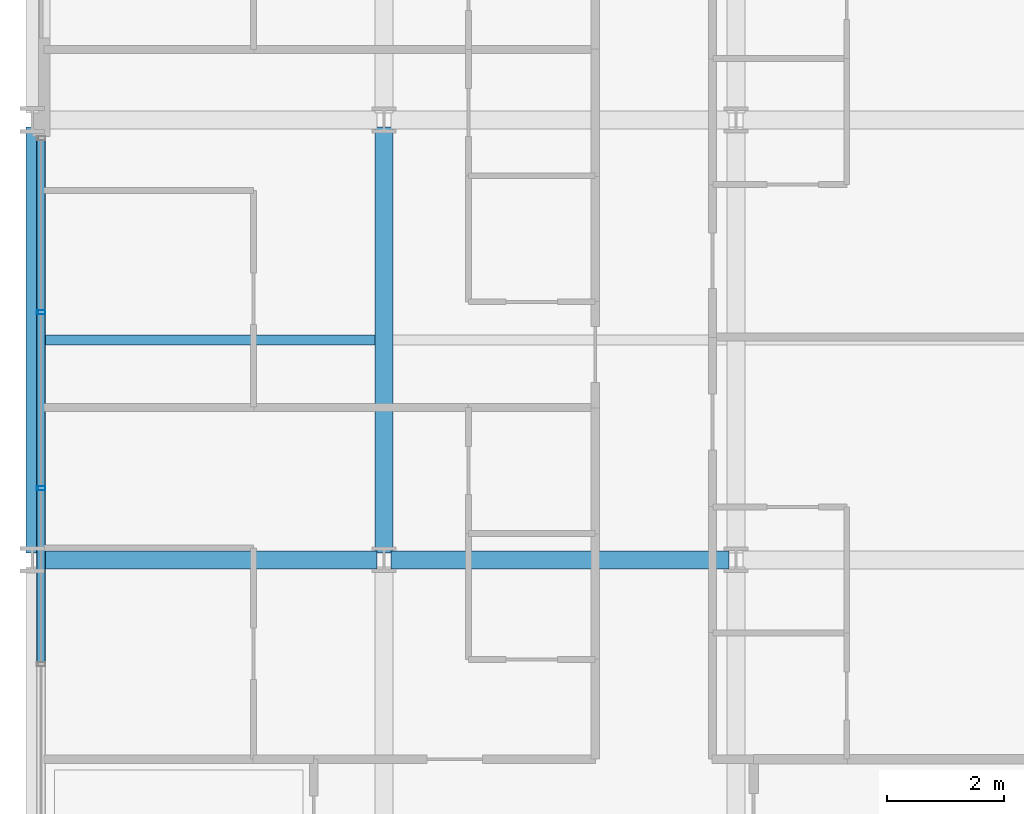
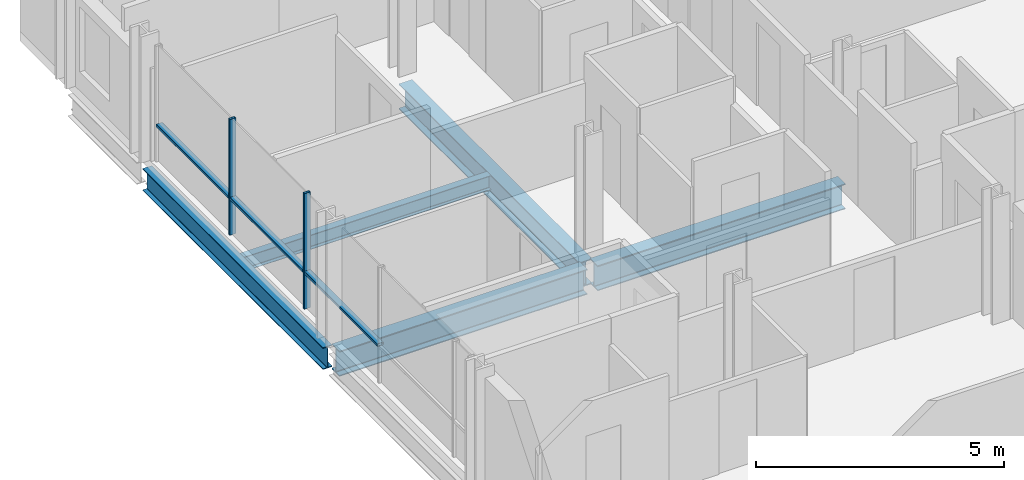
# One storey, part 5 of 41: 5 beams, 5 members, 1 element without a shape of its own.
"""IFC4 building model written with IfcOpenShell, lengths in metres."""

from ifc_helpers import new_model, si_unit, direction, frame, origin, origin_2d, place, context, subcontext, project, spatial, hollow_rectangle, i_section, extrude, material, layer, layer_set, material_profile, profile_set, type_object, element, aggregate, save


model = new_model("IFC4")

# Units and contexts
model_context = context("Model", 3, precision=1e-05, world=origin(), true_north=direction((0.0, 1.0)))
body_context = subcontext(model_context, "Body", "Model", "MODEL_VIEW")
ifc_project = project(units=[si_unit("LENGTHUNIT", "METRE"), si_unit("AREAUNIT", "SQUARE_METRE"), si_unit("VOLUMEUNIT", "CUBIC_METRE"), si_unit("PLANEANGLEUNIT", "RADIAN"), si_unit("MASSUNIT", "GRAM", prefix="KILO")], contexts=[model_context])

# Site, building, storey
site_placement = place(None, origin())
site = spatial("IfcSite", under=ifc_project, at=site_placement, CompositionType="ELEMENT")
building_placement = place(site_placement, origin())
building = spatial("IfcBuilding", under=site, at=building_placement, Name="Brevholm Reach", CompositionType="ELEMENT")
storey_placement = place(building_placement, frame((0.0, 0.0, 93.10009765625)))
storey = spatial("IfcBuildingStorey", under=building, at=storey_placement, Name="L27", CompositionType="ELEMENT", Elevation=93.10009765625)

# Beams
ifc_material_1 = material(Name="Structural Steel S355J2", Category="steel")
ifc_material_profile_1 = material_profile(ifc_material_1, i_section(OverallWidth=0.17138671875, OverallDepth=0.35498046875, WebThickness=0.00732421875, FlangeThickness=0.011474609375, FilletRadius=0.01025390625, at=origin_2d()), Name="UKB 356x171x51")
ifc_profile_set_1 = profile_set([ifc_material_profile_1], Name="Structural Steel S355J2")
beam_type_1 = type_object("IfcBeamType", Name="BM-B356", PredefinedType="BEAM", material=ifc_profile_set_1)
beam_1_placement = place(storey_placement, frame((0.10546875, 19.75, -0.40771484375), z_axis=(1.0, 0.0, 0.0), x_axis=(0.0, 1.0, 0.0)))
element("IfcBeam", 1, at=beam_1_placement, inside=storey, type_object=beam_type_1, Name="L27 Composite Secondary Floor Beam", PredefinedType="BEAM", context=body_context, shape_type="SweptSolid", body=[
    extrude(i_section(OverallWidth=0.17138671875, OverallDepth=0.35498046875, WebThickness=0.00732421875, FlangeThickness=0.011474609375, FilletRadius=0.01025390625, at=origin_2d()), origin(), (0.0, 0.0, 1.0), 5.740966796875),
])
ifc_material_2 = material(Name="Structural Steel S355J2", Category="steel")
ifc_material_profile_2 = material_profile(ifc_material_2, i_section(OverallWidth=0.210693359375, OverallDepth=0.53955078125, WebThickness=0.01171875, FlangeThickness=0.018798828125, FilletRadius=0.0126953125, at=origin_2d()), Name="UKB 533x210x109")
ifc_profile_set_2 = profile_set([ifc_material_profile_2], Name="Structural Steel S355J2")
beam_type_2 = type_object("IfcBeamType", Name="BM-SP539", PredefinedType="SPANDREL", material=ifc_profile_set_2)
beam_2_placement = place(storey_placement, frame((0.0, 16.1201171875, -0.499755859375), z_axis=(0.0, 1.0, 0.0), x_axis=(-1.0, 0.0, 0.0)))
element("IfcBeam", 2, at=beam_2_placement, inside=storey, type_object=beam_type_2, Name="L27 SP-01B Framing Beam", PredefinedType="SPANDREL", context=body_context, shape_type="SweptSolid", body=[
    extrude(i_section(OverallWidth=0.210693359375, OverallDepth=0.53955078125, WebThickness=0.01171875, FlangeThickness=0.018798828125, FilletRadius=0.0126953125, at=origin_2d()), origin(), (0.0, 0.0, 1.0), 7.259765625),
])
ifc_material_3 = material(Name="Structural Steel S355J2", Category="steel")
ifc_material_profile_3 = material_profile(ifc_material_3, i_section(OverallWidth=0.30712890625, OverallDepth=0.6201171875, WebThickness=0.01416015625, FlangeThickness=0.023681640625, FilletRadius=0.0166015625, at=origin_2d()), Name="UKB 610x305x179")
ifc_profile_set_3 = profile_set([ifc_material_profile_3], Name="Structural Steel S355J2")
beam_type_3 = type_object("IfcBeamType", Name="BM-UKB610H", PredefinedType="USERDEFINED", material=ifc_profile_set_3)
for number, where, z_axis, x_axis, name in (
    (3, (0.1201171875, 16.0, -0.540283203125), (1.0, 0.0, 0.0), (0.0, 1.0, 0.0), "L27 G-06 Framing Beam"),
    (4, (6.1201171875, 16.0, -0.540283203125), (1.0, 0.0, 0.0), (0.0, 1.0, 0.0), "L27 G-06 Framing Beam"),
):
    element("IfcBeam", number, at=place(storey_placement, frame(where, z_axis=z_axis, x_axis=x_axis)), inside=storey, type_object=beam_type_3, Name=name, ObjectType="GIRDER", PredefinedType="USERDEFINED", context=body_context, shape_type="SweptSolid", body=[
        extrude(i_section(OverallWidth=0.30712890625, OverallDepth=0.6201171875, WebThickness=0.01416015625, FlangeThickness=0.023681640625, FilletRadius=0.0166015625, at=origin_2d()), origin(), (0.0, 0.0, 1.0), 5.759765625),
    ])
beam_3_placement = place(storey_placement, frame((6.0, 16.1201171875, -0.540283203125), z_axis=(0.0, 1.0, 0.0), x_axis=(-1.0, 0.0, 0.0)))
element("IfcBeam", 5, at=beam_3_placement, inside=storey, type_object=beam_type_3, Name="L27 G-06 Framing Beam", ObjectType="GIRDER", PredefinedType="USERDEFINED", context=body_context, shape_type="SweptSolid", body=[
    extrude(i_section(OverallWidth=0.30712890625, OverallDepth=0.6201171875, WebThickness=0.01416015625, FlangeThickness=0.023681640625, FilletRadius=0.0166015625, at=origin_2d()), origin(), (0.0, 0.0, 1.0), 7.259765625),
])

# Curtain wall, members
ifc_material_4 = material(Name="Dark Anodised Aluminium 6063-T6 and Solar-Control Glass", Category="aluminium")
ifc_layer = layer(ifc_material_4, 0.14990234375)
ifc_layer_set = layer_set([ifc_layer], Name="Dark Anodised Aluminium 6063-T6 and Solar-Control Glass")
curtain_wall_type = type_object("IfcCurtainWallType", Name="CW-01", PredefinedType="NOTDEFINED", material=ifc_layer_set)
curtain_wall_placement = place(storey_placement, origin())
curtain_wall = element("IfcCurtainWall", 6, at=curtain_wall_placement, inside=storey, type_object=curtain_wall_type, Name="L27 Curtain Wall CW-01", PredefinedType="NOTDEFINED")
ifc_material_5 = material(Name="Dark Anodised Aluminium 6063-T6", Category="aluminium")
ifc_material_profile_4 = material_profile(ifc_material_5, hollow_rectangle(XDim=0.06494140625, YDim=0.14990234375, WallThickness=0.0048828125, InnerFilletRadius=0.0048828125, OuterFilletRadius=0.010009765625, at=origin_2d()), Name="RHS 150x65x5")
ifc_profile_set_4 = profile_set([ifc_material_profile_4], Name="Dark Anodised Aluminium 6063-T6")
member_type_1 = type_object("IfcMemberType", Name="CWM-150", PredefinedType="MULLION", material=ifc_profile_set_4)
member_1_placement = place(storey_placement, frame((0.14990234375, 20.219970703125, 0.0), z_axis=(0.0, 0.0, 1.0), x_axis=(0.0, -1.0, 0.0)))
member_1 = element("IfcMember", 7, at=member_1_placement, type_object=member_type_1, Name="CM-150 Mullion 2", PredefinedType="MULLION", context=body_context, shape_type="SweptSolid", body=[
    extrude(hollow_rectangle(XDim=0.06494140625, YDim=0.14990234375, WallThickness=0.0048828125, InnerFilletRadius=0.0048828125, OuterFilletRadius=0.010009765625, at=origin_2d()), origin(), (0.0, 0.0, 1.0), 2.83984375),
])
member_2_placement = place(storey_placement, frame((0.14990234375, 17.219970703125, 0.0), z_axis=(0.0, 0.0, 1.0), x_axis=(0.0, -1.0, 0.0)))
member_2 = element("IfcMember", 8, at=member_2_placement, type_object=member_type_1, Name="CM-150 Mullion 3", PredefinedType="MULLION", context=body_context, shape_type="SweptSolid", body=[
    extrude(hollow_rectangle(XDim=0.06494140625, YDim=0.14990234375, WallThickness=0.0048828125, InnerFilletRadius=0.0048828125, OuterFilletRadius=0.010009765625, at=origin_2d()), origin(), (0.0, 0.0, 1.0), 2.83984375),
])
ifc_material_6 = material(Name="Dark Anodised Aluminium 6063-T6", Category="aluminium")
ifc_material_profile_5 = material_profile(ifc_material_6, hollow_rectangle(XDim=0.06494140625, YDim=0.14990234375, WallThickness=0.0048828125, InnerFilletRadius=0.0048828125, OuterFilletRadius=0.010009765625, at=origin_2d()), Name="RHS 150x65x5")
ifc_profile_set_5 = profile_set([ifc_material_profile_5], Name="Dark Anodised Aluminium 6063-T6")
member_type_2 = type_object("IfcMemberType", Name="CWT-150", PredefinedType="NOTDEFINED", material=ifc_profile_set_5)
member_3_placement = place(storey_placement, frame((0.14990234375, 23.155029296875, 0.89990234375), z_axis=(0.0, -1.0, 0.0), x_axis=(0.0, 0.0, 1.0)))
member_3 = element("IfcMember", 9, at=member_3_placement, type_object=member_type_2, Name="CT-150 Transom 1.1", ObjectType="TRANSOM", PredefinedType="USERDEFINED", context=body_context, shape_type="SweptSolid", body=[
    extrude(hollow_rectangle(XDim=0.06494140625, YDim=0.14990234375, WallThickness=0.0048828125, InnerFilletRadius=0.0048828125, OuterFilletRadius=0.010009765625, at=origin_2d()), origin(), (0.0, 0.0, 1.0), 2.902587890625),
])
member_4_placement = place(storey_placement, frame((0.14990234375, 20.1875, 0.89990234375), z_axis=(0.0, -1.0, 0.0), x_axis=(0.0, 0.0, 1.0)))
member_4 = element("IfcMember", 10, at=member_4_placement, type_object=member_type_2, Name="CT-150 Transom 2.1", ObjectType="TRANSOM", PredefinedType="USERDEFINED", context=body_context, shape_type="SweptSolid", body=[
    extrude(hollow_rectangle(XDim=0.06494140625, YDim=0.14990234375, WallThickness=0.0048828125, InnerFilletRadius=0.0048828125, OuterFilletRadius=0.010009765625, at=origin_2d()), origin(), (0.0, 0.0, 1.0), 2.93505859375),
])
member_5_placement = place(storey_placement, frame((0.14990234375, 17.1875, 0.89990234375), z_axis=(0.0, -1.0, 0.0), x_axis=(0.0, 0.0, 1.0)))
member_5 = element("IfcMember", 11, at=member_5_placement, type_object=member_type_2, Name="CT-150 Transom 3.1", ObjectType="TRANSOM", PredefinedType="USERDEFINED", context=body_context, shape_type="SweptSolid", body=[
    extrude(hollow_rectangle(XDim=0.06494140625, YDim=0.14990234375, WallThickness=0.0048828125, InnerFilletRadius=0.0048828125, OuterFilletRadius=0.010009765625, at=origin_2d()), origin(), (0.0, 0.0, 1.0), 2.93505859375),
])
aggregate(curtain_wall, [member_1, member_2, member_3, member_4, member_5])

save(model, "model.ifc")
